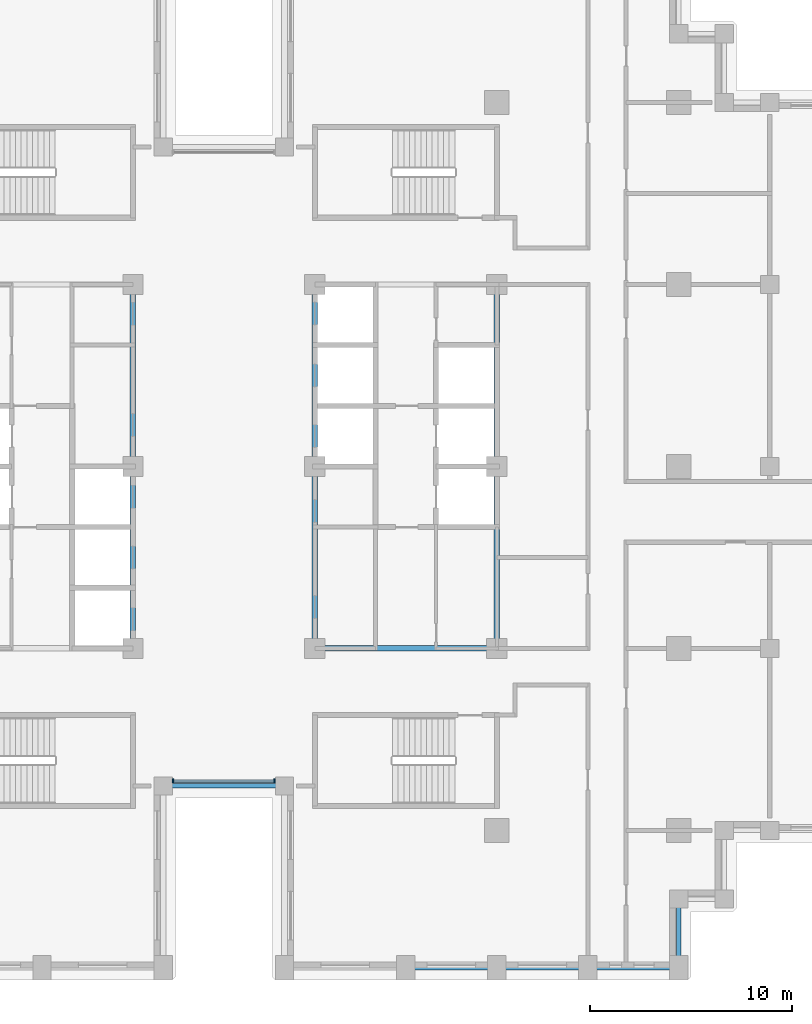
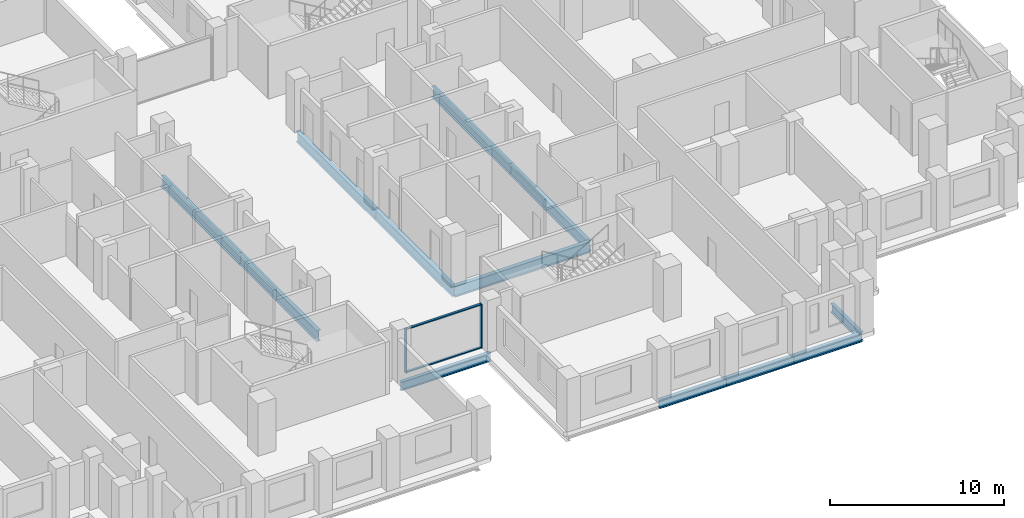
# One storey, part 2 of 15: 12 beams, 4 members, 1 element without a shape of its own.
"""IFC4 building model written with IfcOpenShell, lengths in metres."""

from ifc_helpers import new_model, si_unit, direction, frame, origin, origin_2d, place, context, subcontext, project, spatial, rectangle, i_section, extrude, material, layer, layer_set, material_profile, profile_set, type_object, element, aggregate, save


model = new_model("IFC4")

# Units and contexts
model_context = context("Model", 3, precision=1e-05, world=origin(), true_north=direction((0.0, 1.0)))
body_context = subcontext(model_context, "Body", "Model", "MODEL_VIEW")
ifc_project = project(units=[si_unit("LENGTHUNIT", "METRE"), si_unit("AREAUNIT", "SQUARE_METRE"), si_unit("VOLUMEUNIT", "CUBIC_METRE"), si_unit("PLANEANGLEUNIT", "RADIAN"), si_unit("MASSUNIT", "GRAM", prefix="KILO")], contexts=[model_context])

# Site, building, storey
site_placement = place(None, origin())
site = spatial("IfcSite", under=ifc_project, at=site_placement, CompositionType="ELEMENT")
building_placement = place(site_placement, origin())
building = spatial("IfcBuilding", under=site, at=building_placement, Name="Corbelhall Arena Tower", CompositionType="ELEMENT")
storey_placement = place(building_placement, frame((0.0, 0.0, 92.0)))
storey = spatial("IfcBuildingStorey", under=building, at=storey_placement, Name="L15", CompositionType="ELEMENT", Elevation=92.0)

# Curtain wall, members
ifc_material_1 = material(Name="Aluminium black anodised", Category="aluminium")
ifc_layer = layer(ifc_material_1, 0.199951171875)
ifc_layer_set = layer_set([ifc_layer], Name="EV-CW1 Slot back wall")
curtain_wall_type = type_object("IfcCurtainWallType", Name="EV-CW1 Slot back wall", PredefinedType="NOTDEFINED", material=ifc_layer_set)
curtain_wall_placement = place(storey_placement, origin())
curtain_wall = element("IfcCurtainWall", 1, at=curtain_wall_placement, inside=storey, type_object=curtain_wall_type, Name="Curtain wall CW1", PredefinedType="NOTDEFINED")
ifc_material_profile_1 = material_profile(ifc_material_1, rectangle(XDim=0.199951171875, YDim=0.074951171875, at=origin_2d()))
ifc_profile_set_1 = profile_set([ifc_material_profile_1], Name="Aluminium black anodised")
member_type_1 = type_object("IfcMemberType", Name="EV-CW1-MULLION", PredefinedType="MULLION", material=ifc_profile_set_1)
member_1_placement = place(storey_placement, frame((-2.512451171875, -15.550048828125, 0.0), z_axis=(0.0, 0.0, 1.0), x_axis=(0.0, 1.0, 0.0)))
member_1 = element("IfcMember", 2, at=member_1_placement, type_object=member_type_1, Name="CW1 mullion 1", PredefinedType="MULLION", context=body_context, shape_type="SweptSolid", body=[
    extrude(rectangle(XDim=0.199951171875, YDim=0.074951171875, at=origin_2d()), origin(), (0.0, 0.0, 1.0), 3.10009765625),
])
member_2_placement = place(storey_placement, frame((2.512451171875, -15.550048828125, 0.0), z_axis=(0.0, 0.0, 1.0), x_axis=(0.0, 1.0, 0.0)))
member_2 = element("IfcMember", 3, at=member_2_placement, type_object=member_type_1, Name="CW1 mullion 2", PredefinedType="MULLION", context=body_context, shape_type="SweptSolid", body=[
    extrude(rectangle(XDim=0.199951171875, YDim=0.074951171875, at=origin_2d()), origin(), (0.0, 0.0, 1.0), 3.10009765625),
])
ifc_material_profile_2 = material_profile(ifc_material_1, rectangle(XDim=0.14990234375, YDim=0.074951171875, at=origin_2d()))
ifc_profile_set_2 = profile_set([ifc_material_profile_2], Name="Aluminium black anodised")
member_type_2 = type_object("IfcMemberType", Name="EV-CW1-TRANSOM", PredefinedType="USERDEFINED", material=ifc_profile_set_2)
member_3_placement = place(storey_placement, frame((-2.47509765625, -15.550048828125, 0.03759765625), z_axis=(1.0, 0.0, 0.0), x_axis=(0.0, 1.0, 0.0)))
member_3 = element("IfcMember", 4, at=member_3_placement, type_object=member_type_2, Name="CW1 transom 1.1", ObjectType="transom", PredefinedType="USERDEFINED", context=body_context, shape_type="SweptSolid", body=[
    extrude(rectangle(XDim=0.14990234375, YDim=0.074951171875, at=origin_2d()), origin(), (0.0, 0.0, 1.0), 4.9501953125),
])
member_4_placement = place(storey_placement, frame((-2.47509765625, -15.550048828125, 3.0625), z_axis=(1.0, 0.0, 0.0), x_axis=(0.0, 1.0, 0.0)))
member_4 = element("IfcMember", 5, at=member_4_placement, type_object=member_type_2, Name="CW1 transom 1.2", ObjectType="transom", PredefinedType="USERDEFINED", context=body_context, shape_type="SweptSolid", body=[
    extrude(rectangle(XDim=0.14990234375, YDim=0.074951171875, at=origin_2d()), origin(), (0.0, 0.0, 1.0), 4.9501953125),
])
aggregate(curtain_wall, [member_1, member_2, member_3, member_4])

# Beams
ifc_material_2 = material(Name="Steel ASTM A992 Gr50", Category="steel")
ifc_material_profile_3 = material_profile(ifc_material_2, i_section(OverallWidth=0.2666015625, OverallDepth=0.761962890625, WebThickness=0.014404296875, FlangeThickness=0.021484375, at=origin_2d()))
ifc_profile_set_3 = profile_set([ifc_material_profile_3], Name="Steel ASTM A992 Gr50")
beam_type_1 = type_object("IfcBeamType", Name="ST-BEAM-W30x116", PredefinedType="BEAM", material=ifc_profile_set_3)
for number, where, z_axis, x_axis, name in (
    (6, (-4.5, -9.0, -0.680908203125), (0.0, 1.0, 0.0), (-1.0, 0.0, 0.0), "Beam CEW 3"),
    (7, (-4.5, 0.0, -0.680908203125), (0.0, 1.0, 0.0), (-1.0, 0.0, 0.0), "Beam CEW 4"),
    (8, (4.5, -9.0, -0.680908203125), (0.0, 1.0, 0.0), (-1.0, 0.0, 0.0), "Beam CEE 7"),
    (9, (4.5, 0.0, -0.680908203125), (0.0, 1.0, 0.0), (-1.0, 0.0, 0.0), "Beam CEE 8"),
    (10, (13.5, -9.0, -0.680908203125), (0.0, 1.0, 0.0), (-1.0, 0.0, 0.0), "Beam CEE 9"),
    (11, (13.5, 0.0, -0.680908203125), (0.0, 1.0, 0.0), (-1.0, 0.0, 0.0), "Beam CEE 10"),
    (12, (4.5, -9.0, -0.680908203125), (1.0, 0.0, 0.0), (0.0, 1.0, 0.0), "Beam CEE 11"),
):
    element("IfcBeam", number, at=place(storey_placement, frame(where, z_axis=z_axis, x_axis=x_axis)), inside=storey, type_object=beam_type_1, Name=name, PredefinedType="BEAM", context=body_context, shape_type="SweptSolid", body=[
        extrude(i_section(OverallWidth=0.2666015625, OverallDepth=0.761962890625, WebThickness=0.014404296875, FlangeThickness=0.021484375, at=origin_2d()), origin(), (0.0, 0.0, 1.0), 9.0),
    ])
ifc_material_profile_4 = material_profile(ifc_material_2, i_section(OverallWidth=0.23046875, OverallDepth=0.6171875, WebThickness=0.01318359375, FlangeThickness=0.022216796875, at=origin_2d()))
ifc_profile_set_4 = profile_set([ifc_material_profile_4], Name="Steel ASTM A992 Gr50")
beam_type_2 = type_object("IfcBeamType", Name="ST-SPANDREL-W24x94", PredefinedType="SPANDREL", material=ifc_profile_set_4)
for number, where, z_axis, x_axis, name in (
    (13, (13.5, -24.800048828125, -0.608642578125), (-1.0, 0.0, 0.0), (0.0, -1.0, 0.0), "Beam SP 29"),
    (14, (18.0, -24.800048828125, -0.608642578125), (-1.0, 0.0, 0.0), (0.0, -1.0, 0.0), "Beam SP 30"),
    (15, (22.5, -24.800048828125, -0.608642578125), (-1.0, 0.0, 0.0), (0.0, -1.0, 0.0), "Beam SP 31"),
):
    element("IfcBeam", number, at=place(storey_placement, frame(where, z_axis=z_axis, x_axis=x_axis)), inside=storey, type_object=beam_type_2, Name=name, PredefinedType="SPANDREL", context=body_context, shape_type="SweptSolid", body=[
        extrude(i_section(OverallWidth=0.23046875, OverallDepth=0.6171875, WebThickness=0.01318359375, FlangeThickness=0.022216796875, at=origin_2d()), origin(), (0.0, 0.0, 1.0), 4.5),
    ])
beam_1_placement = place(storey_placement, frame((3.0, -15.800048828125, -0.608642578125), z_axis=(-1.0, 0.0, 0.0), x_axis=(0.0, -1.0, 0.0)))
element("IfcBeam", 16, at=beam_1_placement, inside=storey, type_object=beam_type_2, Name="Beam SP 41", PredefinedType="SPANDREL", context=body_context, shape_type="SweptSolid", body=[
    extrude(i_section(OverallWidth=0.23046875, OverallDepth=0.6171875, WebThickness=0.01318359375, FlangeThickness=0.022216796875, at=origin_2d()), origin(), (0.0, 0.0, 1.0), 6.0),
])
beam_2_placement = place(storey_placement, frame((22.5, -21.39990234375, -0.608642578125), z_axis=(0.0, -1.0, 0.0), x_axis=(1.0, 0.0, 0.0)))
element("IfcBeam", 17, at=beam_2_placement, inside=storey, type_object=beam_type_2, Name="Beam SP 49", PredefinedType="SPANDREL", context=body_context, shape_type="SweptSolid", body=[
    extrude(i_section(OverallWidth=0.23046875, OverallDepth=0.6171875, WebThickness=0.01318359375, FlangeThickness=0.022216796875, at=origin_2d()), origin(), (0.0, 0.0, 1.0), 3.400146484375),
])

save(model, "model.ifc")
